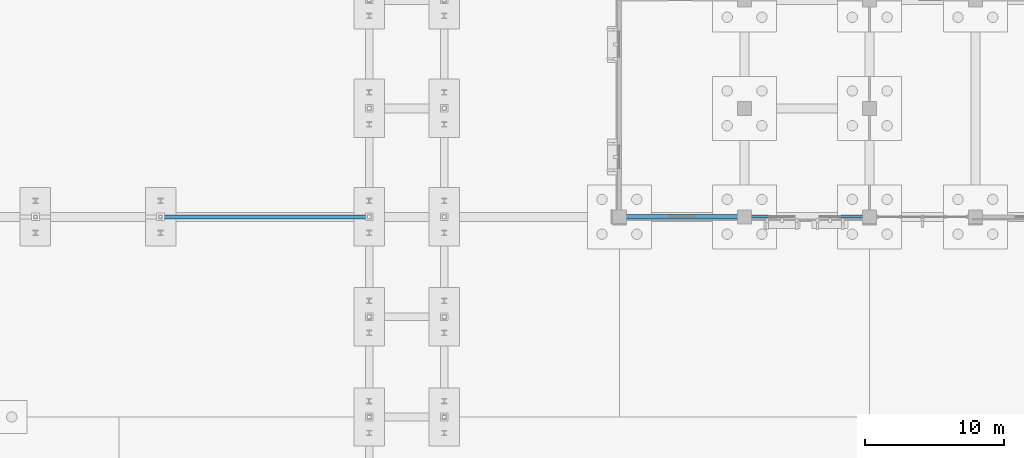
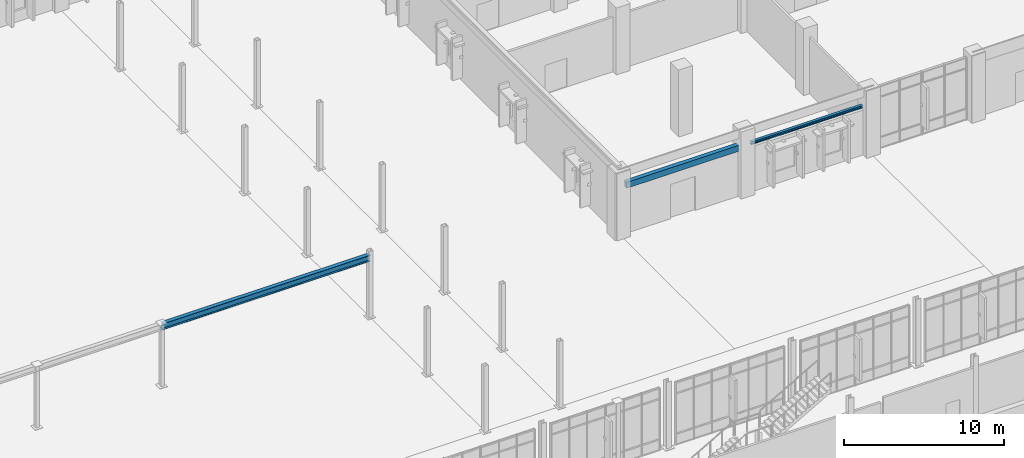
# One storey, part 41 of 94: 3 beams.
"""IFC4 building model written with IfcOpenShell, lengths in metres."""

from ifc_helpers import new_model, si_unit, direction, frame, origin, origin_2d, place, context, subcontext, project, spatial, rectangle, i_section, extrude, material, material_profile, profile_set, type_object, element, save


model = new_model("IFC4")

# Units and contexts
model_context = context("Model", 3, precision=1e-05, world=origin(), true_north=direction((0.0, 1.0)))
body_context = subcontext(model_context, "Body", "Model", "MODEL_VIEW")
ifc_project = project(units=[si_unit("LENGTHUNIT", "METRE"), si_unit("AREAUNIT", "SQUARE_METRE"), si_unit("VOLUMEUNIT", "CUBIC_METRE"), si_unit("PLANEANGLEUNIT", "RADIAN"), si_unit("MASSUNIT", "GRAM", prefix="KILO")], contexts=[model_context])

# Site, building, storey
site_placement = place(None, origin())
site = spatial("IfcSite", under=ifc_project, at=site_placement, CompositionType="ELEMENT")
building_placement = place(site_placement, origin())
building = spatial("IfcBuilding", under=site, at=building_placement, Name="Vervanel Yard Central Library", CompositionType="ELEMENT")
storey_placement = place(building_placement, origin())
storey = spatial("IfcBuildingStorey", under=building, at=storey_placement, Name="L00", CompositionType="ELEMENT", Elevation=0.0)

# Beams
ifc_material_1 = material(Name="Concrete C40/50", Category="concrete")
ifc_material_profile_1 = material_profile(ifc_material_1, rectangle(XDim=0.300048828125, YDim=0.449951171875, at=origin_2d()), Name="RC 300x450", Category="concrete")
ifc_profile_set_1 = profile_set([ifc_material_profile_1], Name="Concrete C40/50")
beam_type_1 = type_object("IfcBeamType", Name="Concrete Opening Lintel 300x450", PredefinedType="LINTEL", material=ifc_profile_set_1)
beam_1_placement = place(storey_placement, frame((90.449951171875, 43.199951171875, 3.64990234375), z_axis=(1.0, 0.0, 0.0), x_axis=(0.0, 1.0, 0.0)))
element("IfcBeam", 1, at=beam_1_placement, inside=storey, type_object=beam_type_1, Name="L00 Portal Opening Lintel 7", PredefinedType="LINTEL", context=body_context, shape_type="SweptSolid", body=[
    extrude(rectangle(XDim=0.300048828125, YDim=0.449951171875, at=origin_2d()), origin(), (0.0, 0.0, 1.0), 8.10009765625),
])
ifc_material_2 = material(Name="Steel ASTM A992 Grade 50", Category="steel")
ifc_material_profile_2 = material_profile(ifc_material_2, i_section(OverallWidth=0.281982421875, OverallDepth=0.46728515625, WebThickness=0.01220703125, FlangeThickness=0.01953125, at=origin_2d()), Name="W18X86", Category="steel")
ifc_profile_set_2 = profile_set([ifc_material_profile_2], Name="Steel ASTM A992 Grade 50")
beam_type_2 = type_object("IfcBeamType", Name="Steel Canopy Edge Beam W18X86", PredefinedType="BEAM", material=ifc_profile_set_2)
beam_2_placement = place(storey_placement, frame((57.0, 43.199951171875, 4.56640625), z_axis=(1.0, 0.0, 0.0), x_axis=(0.0, 1.0, 0.0)))
element("IfcBeam", 2, at=beam_2_placement, inside=storey, type_object=beam_type_2, Name="L00 Courtyard Pergola Tie Beam 3", PredefinedType="BEAM", context=body_context, shape_type="SweptSolid", body=[
    extrude(i_section(OverallWidth=0.281982421875, OverallDepth=0.46728515625, WebThickness=0.01220703125, FlangeThickness=0.01953125, at=origin_2d()), origin(), (0.0, 0.0, 1.0), 15.0),
])
ifc_material_profile_3 = material_profile(ifc_material_2, i_section(OverallWidth=0.203125, OverallDepth=0.203125, WebThickness=0.00732421875, FlangeThickness=0.010986328125, at=origin_2d()), Name="W8X31", Category="steel")
ifc_profile_set_3 = profile_set([ifc_material_profile_3], Name="Steel ASTM A992 Grade 50")
beam_type_3 = type_object("IfcBeamType", Name="Steel Opening Lintel W8X31", PredefinedType="LINTEL", material=ifc_profile_set_3)
beam_3_placement = place(storey_placement, frame((99.449951171875, 43.199951171875, 3.64990234375), z_axis=(1.0, 0.0, 0.0), x_axis=(0.0, 1.0, 0.0)))
element("IfcBeam", 3, at=beam_3_placement, inside=storey, type_object=beam_type_3, Name="L00 Portal Opening Lintel 8", PredefinedType="LINTEL", context=body_context, shape_type="SweptSolid", body=[
    extrude(i_section(OverallWidth=0.203125, OverallDepth=0.203125, WebThickness=0.00732421875, FlangeThickness=0.010986328125, at=origin_2d()), origin(), (0.0, 0.0, 1.0), 8.10009765625),
])

save(model, "model.ifc")
